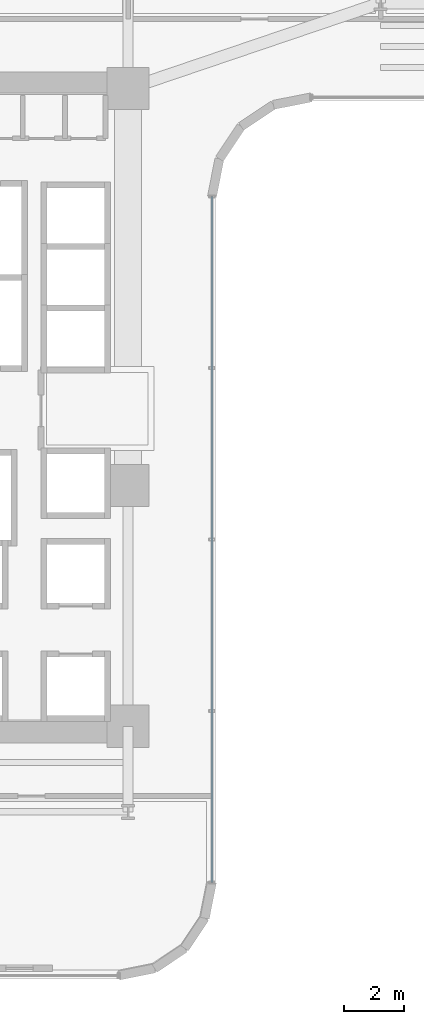
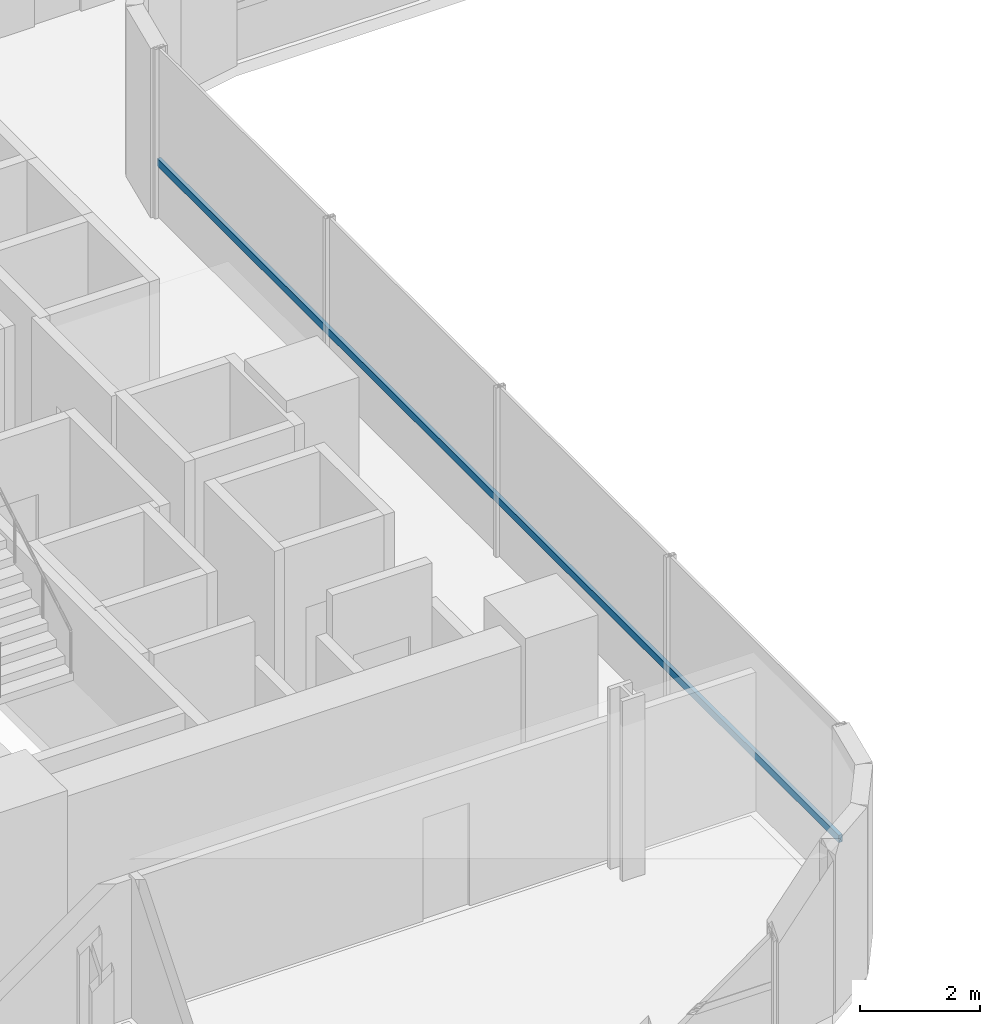
# One storey, part 7 of 39: 1 member, 1 element without a shape of its own.
"""IFC4 building model written with IfcOpenShell, lengths in metres."""

from ifc_helpers import new_model, si_unit, direction, frame, origin, origin_2d, place, context, subcontext, project, spatial, hollow_rectangle, extrude, source, transform, mapped, material, material_profile, profile_set, type_object, element, aggregate, save


model = new_model("IFC4")

# Units and contexts
model_context = context("Model", 3, precision=1e-05, world=origin(), true_north=direction((0.0, 1.0)))
body_context = subcontext(model_context, "Body", "Model", "MODEL_VIEW")
ifc_project = project(units=[si_unit("LENGTHUNIT", "METRE"), si_unit("AREAUNIT", "SQUARE_METRE"), si_unit("VOLUMEUNIT", "CUBIC_METRE"), si_unit("PLANEANGLEUNIT", "RADIAN"), si_unit("MASSUNIT", "GRAM", prefix="KILO")], contexts=[model_context])

# Site, building, storey
site_placement = place(None, origin())
site = spatial("IfcSite", under=ifc_project, at=site_placement, CompositionType="ELEMENT")
building_placement = place(site_placement, origin())
building = spatial("IfcBuilding", under=site, at=building_placement, Name="Valdorenza Pilgrim Sanctuary Tower", CompositionType="ELEMENT")
storey_placement = place(building_placement, frame((0.0, 0.0, 33.39990234375)))
storey = spatial("IfcBuildingStorey", under=building, at=storey_placement, Name="L07", CompositionType="ELEMENT", Elevation=33.39990234375)

# Curtain wall, member
ifc_material_1 = material(Name="Curtain-wall IGU glazing", Category="glass")
curtain_wall_type = type_object("IfcCurtainWallType", Name="CW-SYS-02", PredefinedType="NOTDEFINED", material=ifc_material_1)
curtain_wall_placement = place(storey_placement, origin())
curtain_wall = element("IfcCurtainWall", 1, at=curtain_wall_placement, inside=storey, type_object=curtain_wall_type, Name="L07 Curtain Wall CW-L07-1-41", PredefinedType="NOTDEFINED")
ifc_material_2 = material(Name="Anodised aluminium AW-6060", Category="aluminium")
ifc_material_profile = material_profile(ifc_material_2, hollow_rectangle(XDim=0.074951171875, YDim=0.14990234375, WallThickness=0.00390625, at=origin_2d()), Name="ALU-T 150x75x4")
ifc_profile_set = profile_set([ifc_material_profile], Name="Anodised aluminium AW-6060")
member_type = type_object("IfcMemberType", Name="CW-TRN-02", PredefinedType="USERDEFINED", material=ifc_profile_set)
shared_shape = source(origin(), body_context, "Body", "SweptSolid", [
    extrude(hollow_rectangle(XDim=0.074951171875, YDim=0.14990234375, WallThickness=0.00390625, at=origin_2d()), origin(), (0.0, 0.0, 1.0), 22.800048828125),
])
member_placement = place(storey_placement, frame((-9.610107421875, 7.0107421875, 1.1201171875), z_axis=(0.0, -1.0, 0.0), x_axis=(1.0, 0.0, 0.0)))
member = element("IfcMember", 2, at=member_placement, type_object=member_type, Name="CW-L07-1-41 Transom 1", ObjectType="TRANSOM", PredefinedType="USERDEFINED", context=body_context, shape_type="MappedRepresentation", body=[
    mapped(shared_shape, transform((0.0, 0.0, 0.0), x_axis=(1.0, 0.0, 0.0), y_axis=(0.0, 1.0, 0.0), z_axis=(0.0, 0.0, 1.0), scale=1.0)),
])
aggregate(curtain_wall, [member])

save(model, "model.ifc")
